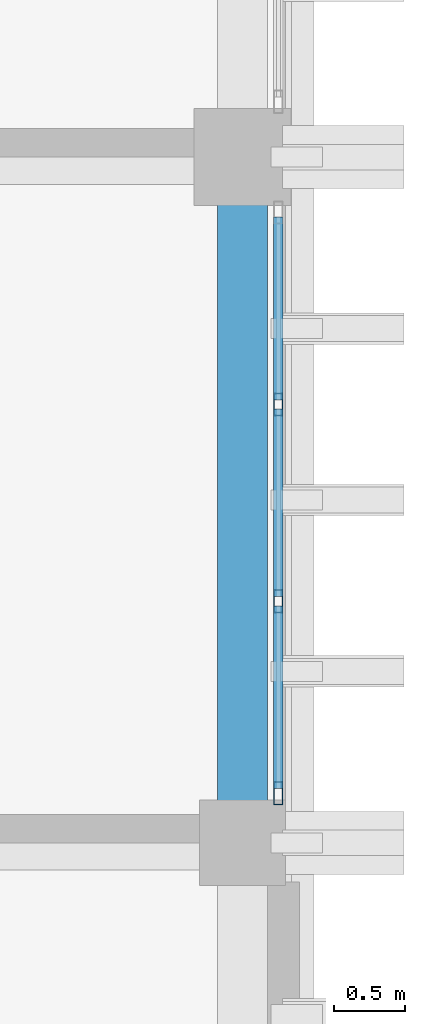
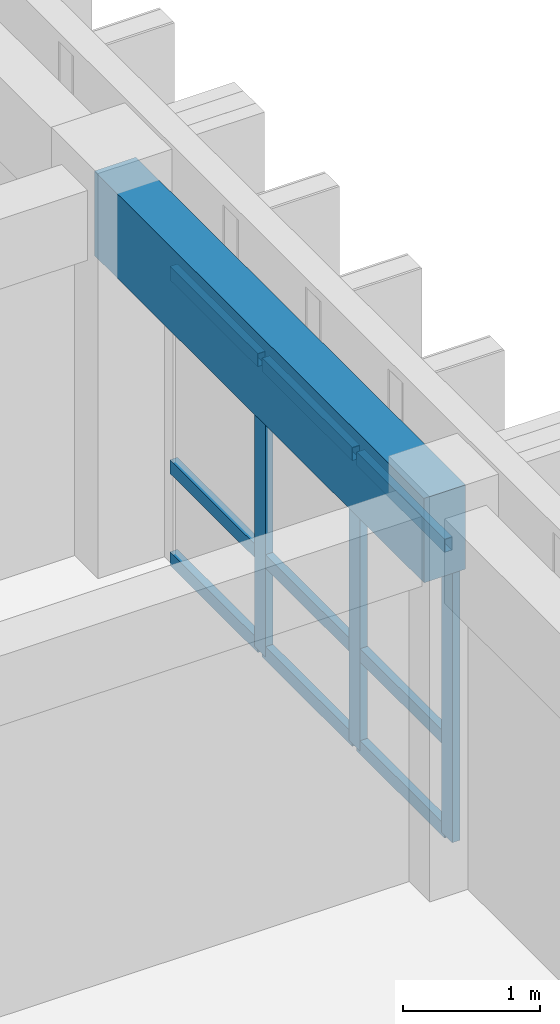
# One storey, part 34 of 53: 12 members, 1 beam, 1 element without a shape of its own.
"""IFC4 building model written with IfcOpenShell, lengths in metres."""

from ifc_helpers import new_model, si_unit, direction, frame, origin, origin_2d, place, context, subcontext, project, spatial, rectangle, hollow_rectangle, extrude, material, layer, layer_set, material_profile, profile_set, type_object, element, aggregate, save


model = new_model("IFC4")

# Units and contexts
model_context = context("Model", 3, precision=1e-05, world=origin(), true_north=direction((0.0, 1.0)))
body_context = subcontext(model_context, "Body", "Model", "MODEL_VIEW")
ifc_project = project(units=[si_unit("LENGTHUNIT", "METRE"), si_unit("AREAUNIT", "SQUARE_METRE"), si_unit("VOLUMEUNIT", "CUBIC_METRE"), si_unit("PLANEANGLEUNIT", "RADIAN"), si_unit("MASSUNIT", "GRAM", prefix="KILO")], contexts=[model_context])

# Site, building, storey
site_placement = place(None, origin())
site = spatial("IfcSite", under=ifc_project, at=site_placement, CompositionType="ELEMENT")
building_placement = place(site_placement, origin())
building = spatial("IfcBuilding", under=site, at=building_placement, Name="Nakhvara Creek Congress Hotel", CompositionType="ELEMENT")
storey_placement = place(building_placement, frame((0.0, 0.0, 35.39990234375)))
storey = spatial("IfcBuildingStorey", under=building, at=storey_placement, Name="L08", CompositionType="ELEMENT", Elevation=35.39990234375)

# Beam
ifc_material_1 = material(Name="Concrete C40/50", Category="concrete")
ifc_material_profile_1 = material_profile(ifc_material_1, rectangle(XDim=0.35009765625, YDim=0.75, at=origin_2d()), Name="RC-SPANDREL 350x750", Category="LoadBearing")
ifc_profile_set_1 = profile_set([ifc_material_profile_1], Name="Concrete C40/50")
beam_type = type_object("IfcBeamType", Name="BM-SPN-350X750", PredefinedType="SPANDREL", material=ifc_profile_set_1)
beam_placement = place(storey_placement, frame((179.35009765625, 110.39990234375, 2.985107421875), z_axis=(0.0, 1.0, 0.0), x_axis=(-1.0, 0.0, 0.0)))
element("IfcBeam", 1, at=beam_placement, inside=storey, type_object=beam_type, Name="Beam SP1-L08-2508", PredefinedType="SPANDREL", context=body_context, shape_type="SweptSolid", body=[
    extrude(rectangle(XDim=0.35009765625, YDim=0.75, at=origin_2d()), origin(), (0.0, 0.0, 1.0), 4.800048828125),
])

# Curtain wall, members
ifc_material_2 = material(Name="Bronze-anodised aluminium AW-6063-T6 and double-silver low-E glass", Category="aluminium")
ifc_layer = layer(ifc_material_2, 0.199951171875)
ifc_layer_set = layer_set([ifc_layer], Name="Bronze-anodised aluminium AW-6063-T6 and double-silver low-E glass")
curtain_wall_type = type_object("IfcCurtainWallType", Name="CW-HTL-UNIT", PredefinedType="USERDEFINED", material=ifc_layer_set)
curtain_wall_placement = place(storey_placement, origin())
curtain_wall = element("IfcCurtainWall", 2, at=curtain_wall_placement, inside=storey, type_object=curtain_wall_type, Name="Curtain Wall CW291", ObjectType="UNITISED", PredefinedType="USERDEFINED")
ifc_material_3 = material(Name="Bronze-anodised aluminium AW-6063-T6", Category="aluminium")
ifc_material_profile_2 = material_profile(ifc_material_3, hollow_rectangle(XDim=0.06494140625, YDim=0.159912109375, WallThickness=0.00390625, at=origin_2d()), Name="ALU-MULL 65x160x4", Category="LoadBearing")
ifc_profile_set_2 = profile_set([ifc_material_profile_2], Name="Bronze-anodised aluminium AW-6063-T6")
member_type_1 = type_object("IfcMemberType", Name="CW-MULL-160", PredefinedType="MULLION", material=ifc_profile_set_2)
member_1_placement = place(storey_placement, frame((179.60009765625, 113.46826171875, 0.0), z_axis=(0.0, 0.0, 1.0), x_axis=(1.0, 0.0, 0.0)))
member_1 = element("IfcMember", 3, at=member_1_placement, type_object=member_type_1, Name="CW291 mullion 2", PredefinedType="MULLION", context=body_context, shape_type="SweptSolid", body=[
    extrude(hollow_rectangle(XDim=0.06494140625, YDim=0.159912109375, WallThickness=0.00390625, at=origin_2d()), origin(), (0.0, 0.0, 1.0), 2.60205078125),
])
member_2_placement = place(storey_placement, frame((179.60009765625, 112.091552734375, 0.0), z_axis=(0.0, 0.0, 1.0), x_axis=(1.0, 0.0, 0.0)))
member_2 = element("IfcMember", 4, at=member_2_placement, type_object=member_type_1, Name="CW291 mullion 3", PredefinedType="MULLION", context=body_context, shape_type="SweptSolid", body=[
    extrude(hollow_rectangle(XDim=0.06494140625, YDim=0.159912109375, WallThickness=0.00390625, at=origin_2d()), origin(), (0.0, 0.0, 1.0), 2.60205078125),
])
member_3_placement = place(storey_placement, frame((179.60009765625, 110.74755859375, 0.0), z_axis=(0.0, 0.0, 1.0), x_axis=(1.0, 0.0, 0.0)))
member_3 = element("IfcMember", 5, at=member_3_placement, type_object=member_type_1, Name="CW291 mullion 4", PredefinedType="MULLION", context=body_context, shape_type="SweptSolid", body=[
    extrude(hollow_rectangle(XDim=0.06494140625, YDim=0.159912109375, WallThickness=0.00390625, at=origin_2d()), origin(), (0.0, 0.0, 1.0), 2.60205078125),
])
ifc_material_profile_3 = material_profile(ifc_material_3, hollow_rectangle(XDim=0.06494140625, YDim=0.1201171875, WallThickness=0.00390625, at=origin_2d()), Name="ALU-TRAN 65x120x4", Category="LoadBearing")
ifc_profile_set_3 = profile_set([ifc_material_profile_3], Name="Bronze-anodised aluminium AW-6063-T6")
member_type_2 = type_object("IfcMemberType", Name="CW-TRAN-120", PredefinedType="USERDEFINED", material=ifc_profile_set_3)
member_4_placement = place(storey_placement, frame((179.60009765625, 114.780029296875, 0.03271484375), z_axis=(0.0, -1.0, 0.0), x_axis=(1.0, 0.0, 0.0)))
member_4 = element("IfcMember", 6, at=member_4_placement, type_object=member_type_2, Name="CW291 transom 1.1", ObjectType="TRANSOM", PredefinedType="USERDEFINED", context=body_context, shape_type="SweptSolid", body=[
    extrude(hollow_rectangle(XDim=0.06494140625, YDim=0.1201171875, WallThickness=0.00390625, at=origin_2d()), origin(), (0.0, 0.0, 1.0), 1.279296875),
])
member_5_placement = place(storey_placement, frame((179.60009765625, 114.780029296875, 0.85009765625), z_axis=(0.0, -1.0, 0.0), x_axis=(1.0, 0.0, 0.0)))
member_5 = element("IfcMember", 7, at=member_5_placement, type_object=member_type_2, Name="CW291 transom 1.2", ObjectType="TRANSOM", PredefinedType="USERDEFINED", context=body_context, shape_type="SweptSolid", body=[
    extrude(hollow_rectangle(XDim=0.06494140625, YDim=0.1201171875, WallThickness=0.00390625, at=origin_2d()), origin(), (0.0, 0.0, 1.0), 1.279296875),
])
member_6_placement = place(storey_placement, frame((179.60009765625, 114.780029296875, 2.569580078125), z_axis=(0.0, -1.0, 0.0), x_axis=(1.0, 0.0, 0.0)))
member_6 = element("IfcMember", 8, at=member_6_placement, type_object=member_type_2, Name="CW291 transom 1.3", ObjectType="TRANSOM", PredefinedType="USERDEFINED", context=body_context, shape_type="SweptSolid", body=[
    extrude(hollow_rectangle(XDim=0.06494140625, YDim=0.1201171875, WallThickness=0.00390625, at=origin_2d()), origin(), (0.0, 0.0, 1.0), 1.279296875),
])
member_7_placement = place(storey_placement, frame((179.60009765625, 113.435791015625, 0.03271484375), z_axis=(0.0, -1.0, 0.0), x_axis=(1.0, 0.0, 0.0)))
member_7 = element("IfcMember", 9, at=member_7_placement, type_object=member_type_2, Name="CW291 transom 2.1", ObjectType="TRANSOM", PredefinedType="USERDEFINED", context=body_context, shape_type="SweptSolid", body=[
    extrude(hollow_rectangle(XDim=0.06494140625, YDim=0.1201171875, WallThickness=0.00390625, at=origin_2d()), origin(), (0.0, 0.0, 1.0), 1.3115234375),
])
member_8_placement = place(storey_placement, frame((179.60009765625, 113.435791015625, 0.85009765625), z_axis=(0.0, -1.0, 0.0), x_axis=(1.0, 0.0, 0.0)))
member_8 = element("IfcMember", 10, at=member_8_placement, type_object=member_type_2, Name="CW291 transom 2.2", ObjectType="TRANSOM", PredefinedType="USERDEFINED", context=body_context, shape_type="SweptSolid", body=[
    extrude(hollow_rectangle(XDim=0.06494140625, YDim=0.1201171875, WallThickness=0.00390625, at=origin_2d()), origin(), (0.0, 0.0, 1.0), 1.3115234375),
])
member_9_placement = place(storey_placement, frame((179.60009765625, 113.435791015625, 2.569580078125), z_axis=(0.0, -1.0, 0.0), x_axis=(1.0, 0.0, 0.0)))
member_9 = element("IfcMember", 11, at=member_9_placement, type_object=member_type_2, Name="CW291 transom 2.3", ObjectType="TRANSOM", PredefinedType="USERDEFINED", context=body_context, shape_type="SweptSolid", body=[
    extrude(hollow_rectangle(XDim=0.06494140625, YDim=0.1201171875, WallThickness=0.00390625, at=origin_2d()), origin(), (0.0, 0.0, 1.0), 1.3115234375),
])
member_10_placement = place(storey_placement, frame((179.60009765625, 112.05908203125, 0.03271484375), z_axis=(0.0, -1.0, 0.0), x_axis=(1.0, 0.0, 0.0)))
member_10 = element("IfcMember", 12, at=member_10_placement, type_object=member_type_2, Name="CW291 transom 3.1", ObjectType="TRANSOM", PredefinedType="USERDEFINED", context=body_context, shape_type="SweptSolid", body=[
    extrude(hollow_rectangle(XDim=0.06494140625, YDim=0.1201171875, WallThickness=0.00390625, at=origin_2d()), origin(), (0.0, 0.0, 1.0), 1.279052734375),
])
member_11_placement = place(storey_placement, frame((179.60009765625, 112.05908203125, 0.85009765625), z_axis=(0.0, -1.0, 0.0), x_axis=(1.0, 0.0, 0.0)))
member_11 = element("IfcMember", 13, at=member_11_placement, type_object=member_type_2, Name="CW291 transom 3.2", ObjectType="TRANSOM", PredefinedType="USERDEFINED", context=body_context, shape_type="SweptSolid", body=[
    extrude(hollow_rectangle(XDim=0.06494140625, YDim=0.1201171875, WallThickness=0.00390625, at=origin_2d()), origin(), (0.0, 0.0, 1.0), 1.279052734375),
])
member_12_placement = place(storey_placement, frame((179.60009765625, 112.05908203125, 2.569580078125), z_axis=(0.0, -1.0, 0.0), x_axis=(1.0, 0.0, 0.0)))
member_12 = element("IfcMember", 14, at=member_12_placement, type_object=member_type_2, Name="CW291 transom 3.3", ObjectType="TRANSOM", PredefinedType="USERDEFINED", context=body_context, shape_type="SweptSolid", body=[
    extrude(hollow_rectangle(XDim=0.06494140625, YDim=0.1201171875, WallThickness=0.00390625, at=origin_2d()), origin(), (0.0, 0.0, 1.0), 1.279052734375),
])
aggregate(curtain_wall, [member_1, member_2, member_3, member_4, member_5, member_6, member_7, member_8, member_9, member_10, member_11, member_12])

save(model, "model.ifc")
